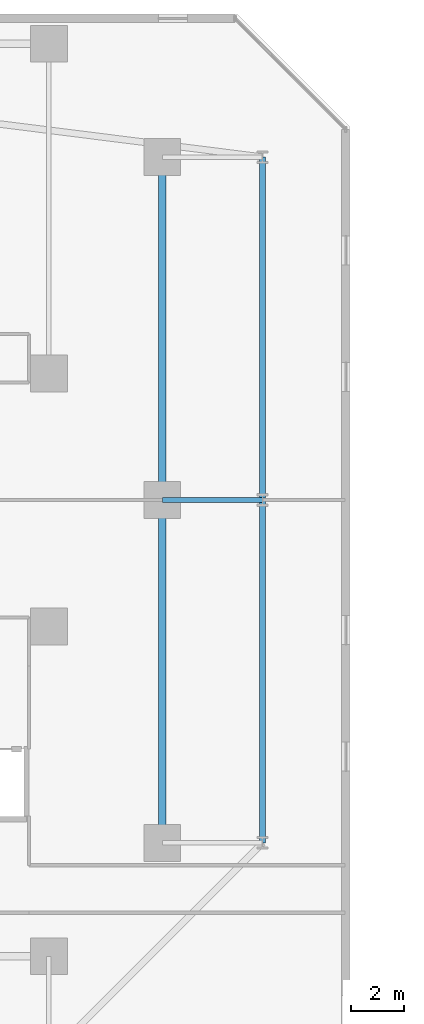
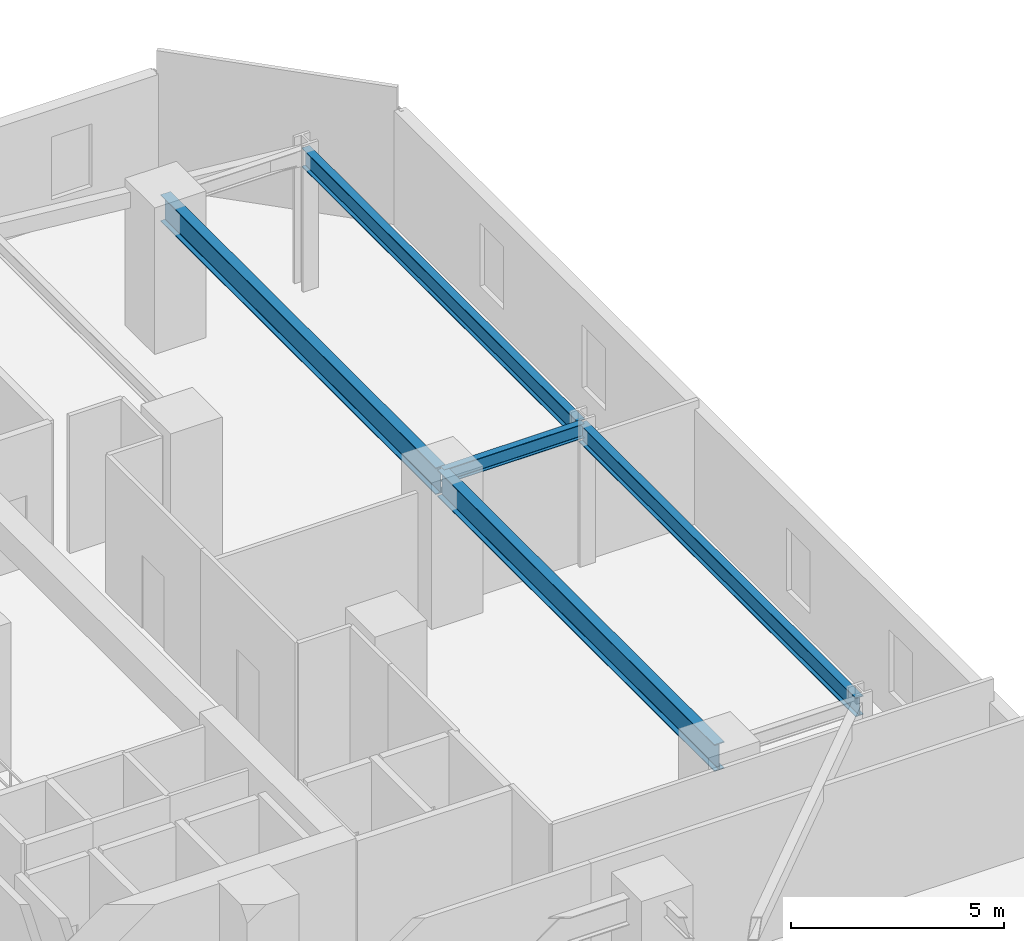
# One storey, part 6 of 33: 5 beams.
"""IFC4 building model written with IfcOpenShell, lengths in metres."""

from ifc_helpers import new_model, si_unit, direction, frame, origin, origin_2d, place, context, subcontext, project, spatial, i_section, extrude, material, material_profile, profile_set, type_object, element, save


model = new_model("IFC4")

# Units and contexts
model_context = context("Model", 3, precision=1e-05, world=origin(), true_north=direction((0.0, 1.0)))
body_context = subcontext(model_context, "Body", "Model", "MODEL_VIEW")
ifc_project = project(units=[si_unit("LENGTHUNIT", "METRE"), si_unit("AREAUNIT", "SQUARE_METRE"), si_unit("VOLUMEUNIT", "CUBIC_METRE"), si_unit("PLANEANGLEUNIT", "RADIAN"), si_unit("MASSUNIT", "GRAM", prefix="KILO")], contexts=[model_context])

# Site, building, storey
site_placement = place(None, origin())
site = spatial("IfcSite", under=ifc_project, at=site_placement, CompositionType="ELEMENT")
building_placement = place(site_placement, origin())
building = spatial("IfcBuilding", under=site, at=building_placement, Name="Thornwick Lancets Civic Towers", CompositionType="ELEMENT")
storey_placement = place(building_placement, frame((0.0, 0.0, 49.5)))
storey = spatial("IfcBuildingStorey", under=building, at=storey_placement, Name="L12", CompositionType="ELEMENT", Elevation=49.5)

# Beams
ifc_material = material(Name="Steel S355JR", Category="steel")
ifc_material_profile_1 = material_profile(ifc_material, i_section(OverallWidth=0.2119140625, OverallDepth=0.54443359375, WebThickness=0.0126953125, FlangeThickness=0.021240234375, FilletRadius=0.0126953125, at=origin_2d()), Name="UKB 533x210x122")
ifc_profile_set_1 = profile_set([ifc_material_profile_1], Name="Steel S355JR")
beam_type_1 = type_object("IfcBeamType", Name="BM_EDGE_533_122", PredefinedType="SPANDREL", material=ifc_profile_set_1)
beam_1_placement = place(storey_placement, frame((46.60009765625, 14.0, 3.687744140625), z_axis=(0.0, 1.0, 0.0), x_axis=(-1.0, 0.0, 0.0)))
element("IfcBeam", 1, at=beam_1_placement, inside=storey, type_object=beam_type_1, Name="BM-EDGE-L12-A-S1-1", PredefinedType="SPANDREL", context=body_context, shape_type="SweptSolid", body=[
    extrude(i_section(OverallWidth=0.2119140625, OverallDepth=0.54443359375, WebThickness=0.0126953125, FlangeThickness=0.021240234375, FilletRadius=0.0126953125, at=origin_2d()), origin(), (0.0, 0.0, 1.0), 13.0),
])
beam_2_placement = place(storey_placement, frame((46.60009765625, 27.080078125, 3.687744140625), z_axis=(0.0, 1.0, 0.0), x_axis=(-1.0, 0.0, 0.0)))
element("IfcBeam", 2, at=beam_2_placement, inside=storey, type_object=beam_type_1, Name="BM-EDGE-L12-A-S1-2", PredefinedType="SPANDREL", context=body_context, shape_type="SweptSolid", body=[
    extrude(i_section(OverallWidth=0.2119140625, OverallDepth=0.54443359375, WebThickness=0.0126953125, FlangeThickness=0.021240234375, FilletRadius=0.0126953125, at=origin_2d()), origin(), (0.0, 0.0, 1.0), 12.919921875),
])
ifc_material_profile_2 = material_profile(ifc_material, i_section(OverallWidth=0.26806640625, OverallDepth=0.769775390625, WebThickness=0.015625, FlangeThickness=0.025390625, FilletRadius=0.0166015625, at=origin_2d()), Name="UKB 762x267x197")
ifc_profile_set_2 = profile_set([ifc_material_profile_2], Name="Steel S355JR")
beam_type_2 = type_object("IfcBeamType", Name="BM_GIRD_762_197", PredefinedType="BEAM", material=ifc_profile_set_2)
beam_3_placement = place(storey_placement, frame((42.800048828125, 14.0, 3.5751953125), z_axis=(0.0, 1.0, 0.0), x_axis=(-1.0, 0.0, 0.0)))
element("IfcBeam", 3, at=beam_3_placement, inside=storey, type_object=beam_type_2, Name="BM-SPINE-L12-A-3-4", PredefinedType="BEAM", context=body_context, shape_type="SweptSolid", body=[
    extrude(i_section(OverallWidth=0.26806640625, OverallDepth=0.769775390625, WebThickness=0.015625, FlangeThickness=0.025390625, FilletRadius=0.0166015625, at=origin_2d()), origin(), (0.0, 0.0, 1.0), 13.0),
])
beam_4_placement = place(storey_placement, frame((42.800048828125, 27.080078125, 3.5751953125), z_axis=(0.0, 1.0, 0.0), x_axis=(-1.0, 0.0, 0.0)))
element("IfcBeam", 4, at=beam_4_placement, inside=storey, type_object=beam_type_2, Name="BM-SPINE-L12-A-4-5", PredefinedType="BEAM", context=body_context, shape_type="SweptSolid", body=[
    extrude(i_section(OverallWidth=0.26806640625, OverallDepth=0.769775390625, WebThickness=0.015625, FlangeThickness=0.025390625, FilletRadius=0.0166015625, at=origin_2d()), origin(), (0.0, 0.0, 1.0), 12.919921875),
])
ifc_material_profile_3 = material_profile(ifc_material, i_section(OverallWidth=0.179443359375, OverallDepth=0.412841796875, WebThickness=0.009521484375, FlangeThickness=0.01611328125, FilletRadius=0.01025390625, at=origin_2d()), Name="UKB 406x178x74")
ifc_profile_set_3 = profile_set([ifc_material_profile_3], Name="Steel S355JR")
beam_type_3 = type_object("IfcBeamType", Name="BM_JOIST_406_74", PredefinedType="JOIST", material=ifc_profile_set_3)
beam_5_placement = place(storey_placement, frame((42.800048828125, 27.0, 3.753662109375), z_axis=(1.0, 0.0, 0.0), x_axis=(0.0, 1.0, 0.0)))
element("IfcBeam", 5, at=beam_5_placement, inside=storey, type_object=beam_type_3, Name="BM-RAD-L12-A05", PredefinedType="JOIST", context=body_context, shape_type="SweptSolid", body=[
    extrude(i_section(OverallWidth=0.179443359375, OverallDepth=0.412841796875, WebThickness=0.009521484375, FlangeThickness=0.01611328125, FilletRadius=0.01025390625, at=origin_2d()), origin(), (0.0, 0.0, 1.0), 3.800048828125),
])

save(model, "model.ifc")
